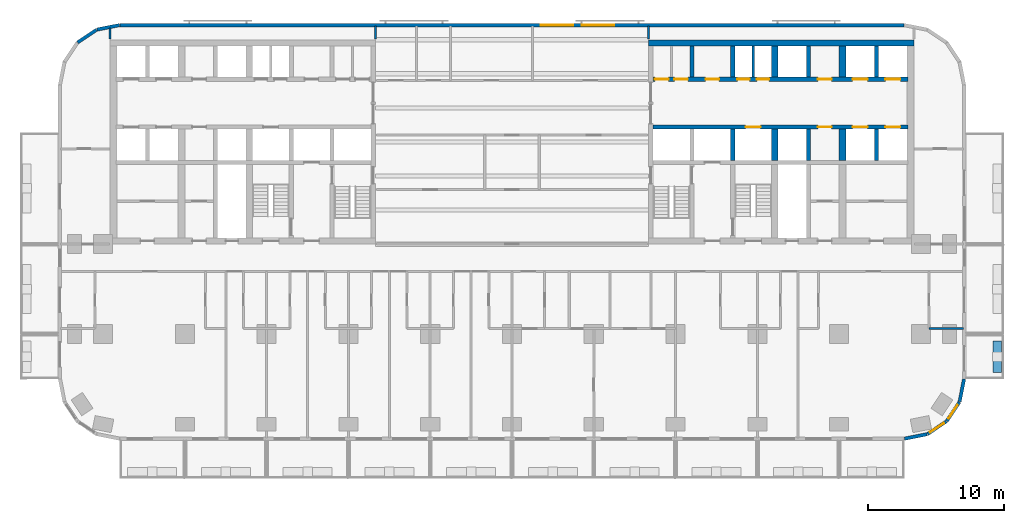
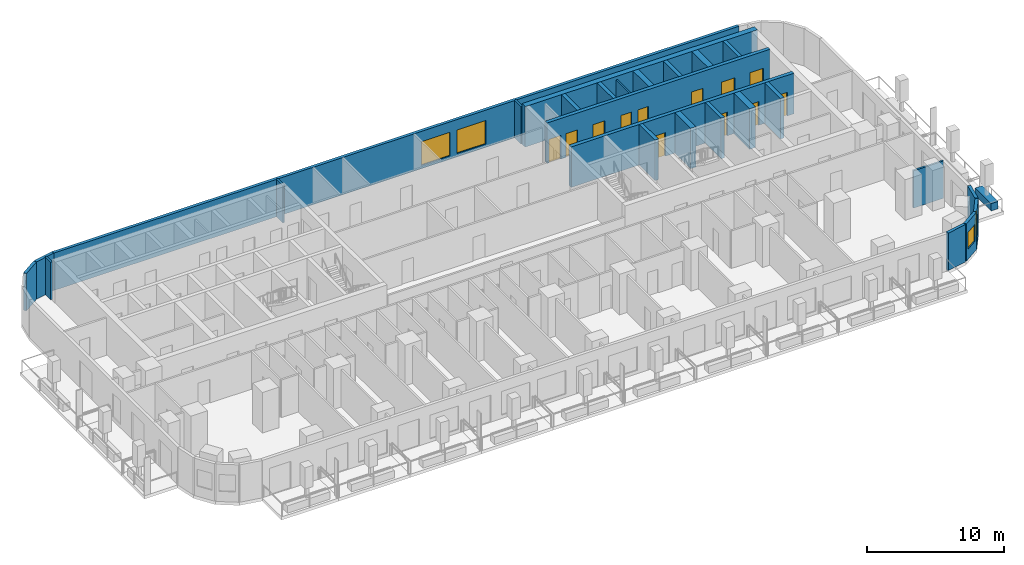
# One storey, part 8 of 14: 27 walls, 12 doors, 4 windows, 16 openings.
"""IFC4 building model written with IfcOpenShell, lengths in metres."""

from ifc_helpers import new_model, si_unit, direction, frame, frame_2d, origin, place, context, subcontext, project, spatial, rectangle, extrude, material, layer, layer_set, type_object, element, fill, save


model = new_model("IFC4")

# Units and contexts
model_context = context("Model", 3, precision=1e-05, world=origin(), true_north=direction((0.0, 1.0)))
body_context = subcontext(model_context, "Body", "Model", "MODEL_VIEW")
ifc_project = project(units=[si_unit("LENGTHUNIT", "METRE"), si_unit("AREAUNIT", "SQUARE_METRE"), si_unit("VOLUMEUNIT", "CUBIC_METRE"), si_unit("PLANEANGLEUNIT", "RADIAN"), si_unit("MASSUNIT", "GRAM", prefix="KILO")], contexts=[model_context])

# Site, building, storey
site_placement = place(None, origin())
site = spatial("IfcSite", under=ifc_project, at=site_placement, CompositionType="ELEMENT")
building_placement = place(site_placement, origin())
building = spatial("IfcBuilding", under=site, at=building_placement, Name="Torana Hotel and Residences", CompositionType="ELEMENT")
storey_placement = place(building_placement, frame((0.0, 0.0, 63.60009765625)))
storey = spatial("IfcBuildingStorey", under=building, at=storey_placement, Name="L15", CompositionType="ELEMENT", Elevation=63.60009765625)

# Wall, openings, doors
ifc_material_1 = material(Name="Concrete C80/95", Category="concrete")
ifc_layer_1 = layer(ifc_material_1, 0.300048828125)
ifc_layer_set_1 = layer_set([ifc_layer_1], Name="CORE WALL 300 C80/95")
wall_type_1 = type_object("IfcWallType", Name="CORE WALL 300 C80/95", PredefinedType="SHEAR", material=ifc_layer_set_1)
wall_1_placement = place(storey_placement, frame((10.35009765625, -2.89990234375, 0.0), z_axis=(0.0, 0.0, 1.0), x_axis=(1.0, 0.0, 0.0)))
wall_1 = element("IfcWall", 1, at=wall_1_placement, inside=storey, type_object=wall_type_1, Name="Core wall E row-N", PredefinedType="SHEAR", context=body_context, shape_type="SweptSolid", body=[
    extrude(rectangle(XDim=18.699951171875, YDim=0.300048828125, at=frame_2d((9.35009765625, 0.0))), origin(), (0.0, 0.0, 1.0), 3.599853515625),
])
opening_1_placement = place(wall_1_placement, frame((14.64990234375, 0.0, 0.0)))
opening_1 = element("IfcOpeningElement", 2, at=opening_1_placement, cuts=wall_1, Name="Opening LD", PredefinedType="OPENING", context=body_context, shape_type="SweptSolid", body=[
    extrude(rectangle(XDim=1.10009765625, YDim=2.10009765625, at=frame_2d((0.550048828125, 1.050048828125))), frame((0.0, 0.159912109375, 0.0), z_axis=(0.0, -1.0, 0.0), x_axis=(1.0, 0.0, 0.0)), (0.0, 0.0, 1.0), 0.320068359375),
])
opening_2_placement = place(wall_1_placement, frame((17.050048828125, 0.0, 0.0)))
opening_2 = element("IfcOpeningElement", 3, at=opening_2_placement, cuts=wall_1, Name="Opening LD", PredefinedType="OPENING", context=body_context, shape_type="SweptSolid", body=[
    extrude(rectangle(XDim=1.10009765625, YDim=2.10009765625, at=frame_2d((0.550048828125, 1.050048828125))), frame((0.0, 0.159912109375, 0.0), z_axis=(0.0, -1.0, 0.0), x_axis=(1.0, 0.0, 0.0)), (0.0, 0.0, 1.0), 0.320068359375),
])
opening_3_placement = place(wall_1_placement, frame((6.1875, 0.0, 0.0)))
opening_3 = element("IfcOpeningElement", 4, at=opening_3_placement, cuts=wall_1, Name="Opening L15-26", PredefinedType="OPENING", context=body_context, shape_type="SweptSolid", body=[
    extrude(rectangle(XDim=0.89990234375, YDim=2.10009765625, at=frame_2d((0.449951171875, 1.050048828125))), frame((0.0, 0.159912109375, 0.0), z_axis=(0.0, -1.0, 0.0), x_axis=(1.0, 0.0, 0.0)), (0.0, 0.0, 1.0), 0.320068359375),
])
opening_4_placement = place(wall_1_placement, frame((7.612548828125, 0.0, 0.0)))
opening_4 = element("IfcOpeningElement", 5, at=opening_4_placement, cuts=wall_1, Name="Opening L15-27", PredefinedType="OPENING", context=body_context, shape_type="SweptSolid", body=[
    extrude(rectangle(XDim=0.89990234375, YDim=2.10009765625, at=frame_2d((0.449951171875, 1.050048828125))), frame((0.0, 0.159912109375, 0.0), z_axis=(0.0, -1.0, 0.0), x_axis=(1.0, 0.0, 0.0)), (0.0, 0.0, 1.0), 0.320068359375),
])
opening_5_placement = place(wall_1_placement, frame((0.137451171875, 0.0, 0.0)))
opening_5 = element("IfcOpeningElement", 6, at=opening_5_placement, cuts=wall_1, Name="Opening L15-28", PredefinedType="OPENING", context=body_context, shape_type="SweptSolid", body=[
    extrude(rectangle(XDim=1.0, YDim=2.10009765625, at=frame_2d((0.5, 1.050048828125))), frame((0.0, 0.159912109375, 0.0), z_axis=(0.0, -1.0, 0.0), x_axis=(1.0, 0.0, 0.0)), (0.0, 0.0, 1.0), 0.320068359375),
])
opening_6_placement = place(wall_1_placement, frame((1.5625, 0.0, 0.0)))
opening_6 = element("IfcOpeningElement", 7, at=opening_6_placement, cuts=wall_1, Name="Opening L15-29", PredefinedType="OPENING", context=body_context, shape_type="SweptSolid", body=[
    extrude(rectangle(XDim=1.0, YDim=2.10009765625, at=frame_2d((0.5, 1.050048828125))), frame((0.0, 0.159912109375, 0.0), z_axis=(0.0, -1.0, 0.0), x_axis=(1.0, 0.0, 0.0)), (0.0, 0.0, 1.0), 0.320068359375),
])
opening_7_placement = place(wall_1_placement, frame((3.85009765625, 0.0, 0.0)))
opening_7 = element("IfcOpeningElement", 8, at=opening_7_placement, cuts=wall_1, Name="Opening L15-30", PredefinedType="OPENING", context=body_context, shape_type="SweptSolid", body=[
    extrude(rectangle(XDim=1.0, YDim=2.10009765625, at=frame_2d((0.5, 1.050048828125))), frame((0.0, 0.159912109375, 0.0), z_axis=(0.0, -1.0, 0.0), x_axis=(1.0, 0.0, 0.0)), (0.0, 0.0, 1.0), 0.320068359375),
])
opening_8_placement = place(wall_1_placement, frame((12.10009765625, 0.0, 0.0)))
opening_8 = element("IfcOpeningElement", 9, at=opening_8_placement, cuts=wall_1, Name="Opening L15-31", PredefinedType="OPENING", context=body_context, shape_type="SweptSolid", body=[
    extrude(rectangle(XDim=1.0, YDim=2.10009765625, at=frame_2d((0.5, 1.050048828125))), frame((0.0, 0.159912109375, 0.0), z_axis=(0.0, -1.0, 0.0), x_axis=(1.0, 0.0, 0.0)), (0.0, 0.0, 1.0), 0.320068359375),
])
ifc_material_2 = material(Name="Steel S235", Category="steel")
door_type_1 = type_object("IfcDoorType", Name="CORE ROOM FIRE DOOR D14 1000x2100", OperationType="SINGLE_SWING_LEFT", PredefinedType="DOOR", material=ifc_material_2)
door_1_placement = place(opening_5_placement, origin())
door_1 = element("IfcDoor", 10, at=door_1_placement, inside=storey, type_object=door_type_1, Name="N0A door L15", OperationType="SINGLE_SWING_RIGHT", OverallHeight=2.10009765625, OverallWidth=1.0, PredefinedType="DOOR", context=body_context, shape_type="SweptSolid", body=[
    extrude(rectangle(XDim=1.0, YDim=2.10009765625, at=frame_2d((0.5, 1.050048828125))), frame((0.0, 0.02490234375, 0.0), z_axis=(0.0, -1.0, 0.0), x_axis=(1.0, 0.0, 0.0)), (0.0, 0.0, 1.0), 0.050048828125),
])
fill(opening_5, door_1)
door_2_placement = place(opening_6_placement, origin())
door_2 = element("IfcDoor", 11, at=door_2_placement, inside=storey, type_object=door_type_1, Name="N0B door L15", OperationType="SINGLE_SWING_RIGHT", OverallHeight=2.10009765625, OverallWidth=1.0, PredefinedType="DOOR", context=body_context, shape_type="SweptSolid", body=[
    extrude(rectangle(XDim=1.0, YDim=2.10009765625, at=frame_2d((0.5, 1.050048828125))), frame((0.0, 0.02490234375, 0.0), z_axis=(0.0, -1.0, 0.0), x_axis=(1.0, 0.0, 0.0)), (0.0, 0.0, 1.0), 0.050048828125),
])
fill(opening_6, door_2)
door_3_placement = place(opening_7_placement, origin())
door_3 = element("IfcDoor", 12, at=door_3_placement, inside=storey, type_object=door_type_1, Name="N1 door L15", OperationType="SINGLE_SWING_RIGHT", OverallHeight=2.10009765625, OverallWidth=1.0, PredefinedType="DOOR", context=body_context, shape_type="SweptSolid", body=[
    extrude(rectangle(XDim=1.0, YDim=2.10009765625, at=frame_2d((0.5, 1.050048828125))), frame((0.0, 0.02490234375, 0.0), z_axis=(0.0, -1.0, 0.0), x_axis=(1.0, 0.0, 0.0)), (0.0, 0.0, 1.0), 0.050048828125),
])
fill(opening_7, door_3)
door_4_placement = place(opening_8_placement, origin())
door_4 = element("IfcDoor", 13, at=door_4_placement, inside=storey, type_object=door_type_1, Name="Free-M3 door L15", OperationType="SINGLE_SWING_RIGHT", OverallHeight=2.10009765625, OverallWidth=1.0, PredefinedType="DOOR", context=body_context, shape_type="SweptSolid", body=[
    extrude(rectangle(XDim=1.0, YDim=2.10009765625, at=frame_2d((0.5, 1.050048828125))), frame((0.0, 0.02490234375, 0.0), z_axis=(0.0, -1.0, 0.0), x_axis=(1.0, 0.0, 0.0)), (0.0, 0.0, 1.0), 0.050048828125),
])
fill(opening_8, door_4)
ifc_material_3 = material(Name="Stainless steel 316", Category="steel")
door_type_2 = type_object("IfcDoorType", Name="LIFT LANDING DOOR LD 1100x2100", OperationType="DOUBLE_DOOR_SLIDING", PredefinedType="USERDEFINED", material=ifc_material_3)
door_5_placement = place(opening_1_placement, origin())
door_5 = element("IfcDoor", 14, at=door_5_placement, inside=storey, type_object=door_type_2, Name="Lift landing door L5 L15", ObjectType="LIFT LANDING DOOR", OperationType="DOUBLE_DOOR_SLIDING", OverallHeight=2.10009765625, OverallWidth=1.10009765625, PredefinedType="USERDEFINED", context=body_context, shape_type="SweptSolid", body=[
    extrude(rectangle(XDim=1.10009765625, YDim=2.10009765625, at=frame_2d((0.550048828125, 1.050048828125))), frame((0.0, 0.02490234375, 0.0), z_axis=(0.0, -1.0, 0.0), x_axis=(1.0, 0.0, 0.0)), (0.0, 0.0, 1.0), 0.050048828125),
])
fill(opening_1, door_5)
door_6_placement = place(opening_2_placement, origin())
door_6 = element("IfcDoor", 15, at=door_6_placement, inside=storey, type_object=door_type_2, Name="Lift landing door L6 L15", ObjectType="LIFT LANDING DOOR", OperationType="DOUBLE_DOOR_SLIDING", OverallHeight=2.10009765625, OverallWidth=1.10009765625, PredefinedType="USERDEFINED", context=body_context, shape_type="SweptSolid", body=[
    extrude(rectangle(XDim=1.10009765625, YDim=2.10009765625, at=frame_2d((0.550048828125, 1.050048828125))), frame((0.0, 0.02490234375, 0.0), z_axis=(0.0, -1.0, 0.0), x_axis=(1.0, 0.0, 0.0)), (0.0, 0.0, 1.0), 0.050048828125),
])
fill(opening_2, door_6)
ifc_material_4 = material(Name="Steel S235", Category="steel")
door_type_3 = type_object("IfcDoorType", Name="RISER ACCESS DOOR D5 900x2100", OperationType="SINGLE_SWING_LEFT", PredefinedType="DOOR", material=ifc_material_4)
door_7_placement = place(opening_3_placement, origin())
door_7 = element("IfcDoor", 16, at=door_7_placement, inside=storey, type_object=door_type_3, Name="N2A door L15", OperationType="SINGLE_SWING_RIGHT", OverallHeight=2.10009765625, OverallWidth=0.89990234375, PredefinedType="DOOR", context=body_context, shape_type="SweptSolid", body=[
    extrude(rectangle(XDim=0.89990234375, YDim=2.10009765625, at=frame_2d((0.449951171875, 1.050048828125))), frame((0.0, 0.02490234375, 0.0), z_axis=(0.0, -1.0, 0.0), x_axis=(1.0, 0.0, 0.0)), (0.0, 0.0, 1.0), 0.050048828125),
])
fill(opening_3, door_7)
door_8_placement = place(opening_4_placement, origin())
door_8 = element("IfcDoor", 17, at=door_8_placement, inside=storey, type_object=door_type_3, Name="N2B door L15", OperationType="SINGLE_SWING_RIGHT", OverallHeight=2.10009765625, OverallWidth=0.89990234375, PredefinedType="DOOR", context=body_context, shape_type="SweptSolid", body=[
    extrude(rectangle(XDim=0.89990234375, YDim=2.10009765625, at=frame_2d((0.449951171875, 1.050048828125))), frame((0.0, 0.02490234375, 0.0), z_axis=(0.0, -1.0, 0.0), x_axis=(1.0, 0.0, 0.0)), (0.0, 0.0, 1.0), 0.050048828125),
])
fill(opening_4, door_8)

wall_2_placement = place(storey_placement, frame((10.35009765625, -6.39990234375, 0.0), z_axis=(0.0, 0.0, 1.0), x_axis=(1.0, 0.0, 0.0)))
wall_2 = element("IfcWall", 18, at=wall_2_placement, inside=storey, type_object=wall_type_1, Name="Core wall E row-S", PredefinedType="SHEAR", context=body_context, shape_type="SweptSolid", body=[
    extrude(rectangle(XDim=18.699951171875, YDim=0.300048828125, at=frame_2d((9.35009765625, 0.0))), origin(), (0.0, 0.0, 1.0), 3.599853515625),
])
opening_9_placement = place(wall_2_placement, frame((14.64990234375, 0.0, 0.0)))
opening_9 = element("IfcOpeningElement", 19, at=opening_9_placement, cuts=wall_2, Name="Opening LD", PredefinedType="OPENING", context=body_context, shape_type="SweptSolid", body=[
    extrude(rectangle(XDim=1.10009765625, YDim=2.10009765625, at=frame_2d((0.550048828125, 1.050048828125))), frame((0.0, 0.159912109375, 0.0), z_axis=(0.0, -1.0, 0.0), x_axis=(1.0, 0.0, 0.0)), (0.0, 0.0, 1.0), 0.320068359375),
])
opening_10_placement = place(wall_2_placement, frame((17.050048828125, 0.0, 0.0)))
opening_10 = element("IfcOpeningElement", 20, at=opening_10_placement, cuts=wall_2, Name="Opening LD", PredefinedType="OPENING", context=body_context, shape_type="SweptSolid", body=[
    extrude(rectangle(XDim=1.10009765625, YDim=2.10009765625, at=frame_2d((0.550048828125, 1.050048828125))), frame((0.0, 0.159912109375, 0.0), z_axis=(0.0, -1.0, 0.0), x_axis=(1.0, 0.0, 0.0)), (0.0, 0.0, 1.0), 0.320068359375),
])
opening_11_placement = place(wall_2_placement, frame((6.800048828125, 0.0, 0.0)))
opening_11 = element("IfcOpeningElement", 21, at=opening_11_placement, cuts=wall_2, Name="Opening LD", PredefinedType="OPENING", context=body_context, shape_type="SweptSolid", body=[
    extrude(rectangle(XDim=1.10009765625, YDim=2.10009765625, at=frame_2d((0.550048828125, 1.050048828125))), frame((0.0, 0.159912109375, 0.0), z_axis=(0.0, -1.0, 0.0), x_axis=(1.0, 0.0, 0.0)), (0.0, 0.0, 1.0), 0.320068359375),
])
opening_12_placement = place(wall_2_placement, frame((12.10009765625, 0.0, 0.0)))
opening_12 = element("IfcOpeningElement", 22, at=opening_12_placement, cuts=wall_2, Name="Opening L15-32", PredefinedType="OPENING", context=body_context, shape_type="SweptSolid", body=[
    extrude(rectangle(XDim=1.0, YDim=2.10009765625, at=frame_2d((0.5, 1.050048828125))), frame((0.0, 0.159912109375, 0.0), z_axis=(0.0, -1.0, 0.0), x_axis=(1.0, 0.0, 0.0)), (0.0, 0.0, 1.0), 0.320068359375),
])
door_9_placement = place(opening_12_placement, frame((0.5, 0.0, 0.0), z_axis=(0.0, 0.0, 1.0), x_axis=(-1.0, 0.0, 0.0)))
door_9 = element("IfcDoor", 23, at=door_9_placement, inside=storey, type_object=door_type_1, Name="Free-M4 door L15", OperationType="SINGLE_SWING_LEFT", OverallHeight=2.10009765625, OverallWidth=1.0, PredefinedType="DOOR", context=body_context, shape_type="SweptSolid", body=[
    extrude(rectangle(XDim=1.0, YDim=2.10009765625, at=frame_2d((0.0, 1.050048828125))), frame((0.0, -0.02490234375, 0.0), z_axis=(0.0, 1.0, 0.0), x_axis=(-1.0, 0.0, 0.0)), (0.0, 0.0, 1.0), 0.050048828125),
])
fill(opening_12, door_9)
door_10_placement = place(opening_9_placement, origin())
door_10 = element("IfcDoor", 24, at=door_10_placement, inside=storey, type_object=door_type_2, Name="Lift landing door L7 L15", ObjectType="LIFT LANDING DOOR", OperationType="DOUBLE_DOOR_SLIDING", OverallHeight=2.10009765625, OverallWidth=1.10009765625, PredefinedType="USERDEFINED", context=body_context, shape_type="SweptSolid", body=[
    extrude(rectangle(XDim=1.10009765625, YDim=2.10009765625, at=frame_2d((0.550048828125, 1.050048828125))), frame((0.0, 0.02490234375, 0.0), z_axis=(0.0, -1.0, 0.0), x_axis=(1.0, 0.0, 0.0)), (0.0, 0.0, 1.0), 0.050048828125),
])
fill(opening_9, door_10)
door_11_placement = place(opening_10_placement, origin())
door_11 = element("IfcDoor", 25, at=door_11_placement, inside=storey, type_object=door_type_2, Name="Lift landing door L8 L15", ObjectType="LIFT LANDING DOOR", OperationType="DOUBLE_DOOR_SLIDING", OverallHeight=2.10009765625, OverallWidth=1.10009765625, PredefinedType="USERDEFINED", context=body_context, shape_type="SweptSolid", body=[
    extrude(rectangle(XDim=1.10009765625, YDim=2.10009765625, at=frame_2d((0.550048828125, 1.050048828125))), frame((0.0, 0.02490234375, 0.0), z_axis=(0.0, -1.0, 0.0), x_axis=(1.0, 0.0, 0.0)), (0.0, 0.0, 1.0), 0.050048828125),
])
fill(opening_10, door_11)
door_12_placement = place(opening_11_placement, origin())
door_12 = element("IfcDoor", 26, at=door_12_placement, inside=storey, type_object=door_type_2, Name="Lift landing door SV2 L15", ObjectType="LIFT LANDING DOOR", OperationType="DOUBLE_DOOR_SLIDING", OverallHeight=2.10009765625, OverallWidth=1.10009765625, PredefinedType="USERDEFINED", context=body_context, shape_type="SweptSolid", body=[
    extrude(rectangle(XDim=1.10009765625, YDim=2.10009765625, at=frame_2d((0.550048828125, 1.050048828125))), frame((0.0, 0.02490234375, 0.0), z_axis=(0.0, -1.0, 0.0), x_axis=(1.0, 0.0, 0.0)), (0.0, 0.0, 1.0), 0.050048828125),
])
fill(opening_11, door_12)

# Walls
for number, where, z_axis, x_axis, name in (
    (27, (13.199951171875, -2.75, 0.0), (0.0, 0.0, 1.0), (0.0, 1.0, 0.0), "Core wall E x3.05-N"),
    (28, (16.199951171875, -2.75, 0.0), (0.0, 0.0, 1.0), (0.0, 1.0, 0.0), "Core wall E x6.05-N"),
    (29, (16.199951171875, -8.85009765625, 0.0), (0.0, 0.0, 1.0), (0.0, 1.0, 0.0), "Core wall E x6.05-S"),
    (30, (21.75, -2.75, 0.0), (0.0, 0.0, 1.0), (0.0, 1.0, 0.0), "Core wall E mm-N"),
    (31, (21.75, -8.85009765625, 0.0), (0.0, 0.0, 1.0), (0.0, 1.0, 0.0), "Core wall E mm-S"),
    (32, (26.75, -2.75, 0.0), (0.0, 0.0, 1.0), (0.0, 1.0, 0.0), "Core wall E ll-N"),
    (33, (26.75, -8.85009765625, 0.0), (0.0, 0.0, 1.0), (0.0, 1.0, 0.0), "Core wall E ll-S"),
):
    element("IfcWall", number, at=place(storey_placement, frame(where, z_axis=z_axis, x_axis=x_axis)), inside=storey, type_object=wall_type_1, Name=name, PredefinedType="SHEAR", context=body_context, shape_type="SweptSolid", body=[
        extrude(rectangle(XDim=2.300048828125, YDim=0.300048828125, at=frame_2d((1.14990234375, 0.0))), origin(), (0.0, 0.0, 1.0), 3.599853515625),
    ])
ifc_material_5 = material(Name="Concrete C80/95", Category="concrete")
ifc_layer_2 = layer(ifc_material_5, 0.449951171875)
ifc_layer_set_2 = layer_set([ifc_layer_2], Name="CORE WALL 450 C80/95")
wall_type_2 = type_object("IfcWallType", Name="CORE WALL 450 C80/95", PredefinedType="SHEAR", material=ifc_layer_set_2)
wall_3_placement = place(storey_placement, frame((10.0, -0.22509765625, 0.0), z_axis=(0.0, 0.0, 1.0), x_axis=(1.0, 0.0, 0.0)))
element("IfcWall", 34, at=wall_3_placement, inside=storey, type_object=wall_type_2, Name="Core wall E rear", PredefinedType="SHEAR", context=body_context, shape_type="SweptSolid", body=[
    extrude(rectangle(XDim=19.5, YDim=0.449951171875, at=frame_2d((9.75, 0.0))), origin(), (0.0, 0.0, 1.0), 3.599853515625),
])
for number, where, z_axis, x_axis, name in (
    (35, (19.27490234375, -2.75, 0.0), (0.0, 0.0, 1.0), (0.0, 1.0, 0.0), "Core wall E hm-N"),
    (36, (19.27490234375, -8.85009765625, 0.0), (0.0, 0.0, 1.0), (0.0, 1.0, 0.0), "Core wall E hm-S"),
):
    element("IfcWall", number, at=place(storey_placement, frame(where, z_axis=z_axis, x_axis=x_axis)), inside=storey, type_object=wall_type_2, Name=name, PredefinedType="SHEAR", context=body_context, shape_type="SweptSolid", body=[
        extrude(rectangle(XDim=2.300048828125, YDim=0.449951171875, at=frame_2d((1.14990234375, 0.0))), origin(), (0.0, 0.0, 1.0), 3.599853515625),
    ])
ifc_material_6 = material(Name="Concrete C80/95", Category="concrete")
ifc_layer_3 = layer(ifc_material_6, 0.5)
ifc_layer_set_3 = layer_set([ifc_layer_3], Name="CORE WALL 500 C80/95")
wall_type_3 = type_object("IfcWallType", Name="CORE WALL 500 C80/95", PredefinedType="SHEAR", material=ifc_layer_set_3)
for number, where, z_axis, x_axis, name in (
    (37, (24.25, -2.75, 0.0), (0.0, 0.0, 1.0), (0.0, 1.0, 0.0), "Core wall E ml-N"),
    (38, (24.25, -8.85009765625, 0.0), (0.0, 0.0, 1.0), (0.0, 1.0, 0.0), "Core wall E ml-S"),
):
    element("IfcWall", number, at=place(storey_placement, frame(where, z_axis=z_axis, x_axis=x_axis)), inside=storey, type_object=wall_type_3, Name=name, PredefinedType="SHEAR", context=body_context, shape_type="SweptSolid", body=[
        extrude(rectangle(XDim=2.300048828125, YDim=0.5, at=frame_2d((1.14990234375, 0.0))), origin(), (0.0, 0.0, 1.0), 3.599853515625),
    ])
ifc_material_7 = material(Name="Black aluminium composite panel", Category="aluminium")
ifc_layer_4 = layer(ifc_material_7, 0.00390625, Name="Cladding", Category="cladding")
ifc_material_8 = material(Name="Ventilated air cavity")
ifc_layer_5 = layer(ifc_material_8, 0.0400390625, Name="Ventilated cavity", Category="cavity")
ifc_material_9 = material(Name="Mineral wool insulation")
ifc_layer_6 = layer(ifc_material_9, 0.090087890625, Name="Insulation", Category="insulation")
ifc_material_10 = material(Name="Steel S280GD", Category="steel")
ifc_layer_7 = layer(ifc_material_10, 0.092041015625, Name="Steel stud frame", Category="structure")
ifc_material_11 = material(Name="Fire rated plasterboard")
ifc_layer_8 = layer(ifc_material_11, 0.011962890625, Name="Inner board", Category="finish")
ifc_layer_9 = layer(ifc_material_11, 0.011962890625, Name="Second board", Category="finish")
ifc_layer_set_4 = layer_set([ifc_layer_4, ifc_layer_5, ifc_layer_6, ifc_layer_7, ifc_layer_8, ifc_layer_9], Name="EW1 EXTERNAL WALL BLACK METAL CLAD 250")
wall_type_4 = type_object("IfcWallType", Name="EW1 EXTERNAL WALL BLACK METAL CLAD 250", PredefinedType="SOLIDWALL", material=ifc_layer_set_4)
wall_4_placement = place(storey_placement, frame((-28.7998046875, 1.072509765625, 0.0), z_axis=(0.0, 0.0, 1.0), x_axis=(-0.980803419081, -0.194999110559, 0.0)))
element("IfcWall", 39, at=wall_4_placement, inside=storey, type_object=wall_type_4, Name="External wall L15 e0.5", PredefinedType="SOLIDWALL", context=body_context, shape_type="SweptSolid", body=[
    extrude(rectangle(XDim=1.681396484375, YDim=0.25, at=frame_2d((0.8408203125, 0.0))), origin(), (0.0, 0.0, 1.0), 3.31982421875),
])
wall_5_placement = place(storey_placement, frame((-30.493896484375, 0.725830078125, 0.0), z_axis=(0.0, 0.0, 1.0), x_axis=(-0.831482937015, -0.55555029066, 0.0)))
element("IfcWall", 40, at=wall_5_placement, inside=storey, type_object=wall_type_4, Name="External wall L15 e0.6", PredefinedType="SOLIDWALL", context=body_context, shape_type="SweptSolid", body=[
    extrude(rectangle(XDim=1.65625, YDim=0.25, at=frame_2d((0.828125, 0.0))), origin(), (0.0, 0.0, 1.0), 3.31982421875),
])
wall_6_placement = place(storey_placement, frame((28.7998046875, -29.272705078125, 0.0), z_axis=(0.0, 0.0, 1.0), x_axis=(0.980775640221, 0.19513878023, 0.0)))
element("IfcWall", 41, at=wall_6_placement, inside=storey, type_object=wall_type_4, Name="External wall L15 e0.15", PredefinedType="SOLIDWALL", context=body_context, shape_type="SweptSolid", body=[
    extrude(rectangle(XDim=1.681396484375, YDim=0.25, at=frame_2d((0.8408203125, 0.0))), origin(), (0.0, 0.0, 1.0), 3.31982421875),
])

# Wall, opening, window
wall_7_placement = place(storey_placement, frame((30.493896484375, -28.92578125, 0.0), z_axis=(0.0, 0.0, 1.0), x_axis=(0.831482937015, 0.55555029066, 0.0)))
wall_7 = element("IfcWall", 42, at=wall_7_placement, inside=storey, type_object=wall_type_4, Name="External wall L15 e0.16", PredefinedType="SOLIDWALL", context=body_context, shape_type="SweptSolid", body=[
    extrude(rectangle(XDim=1.65625, YDim=0.25, at=frame_2d((0.828125, 0.0))), origin(), (0.0, 0.0, 1.0), 3.31982421875),
])
opening_13_placement = place(wall_7_placement, frame((0.228271484375, 0.0, 0.89990234375)))
opening_13 = element("IfcOpeningElement", 43, at=opening_13_placement, cuts=wall_7, Name="Opening W5", PredefinedType="OPENING", context=body_context, shape_type="SweptSolid", body=[
    extrude(rectangle(XDim=1.199951171875, YDim=1.5, at=frame_2d((0.60009765625, 0.75))), frame((0.0, 0.135009765625, 0.0), z_axis=(0.0, -1.0, 0.0), x_axis=(1.0, 0.0, 0.0)), (0.0, 0.0, 1.0), 0.27001953125),
])
ifc_material_12 = material(Name="Dark glass in black aluminium frame", Category="aluminium")
window_type_1 = type_object("IfcWindowType", Name="W5 CORNER FACET WINDOW 1200x1500", PartitioningType="SINGLE_PANEL", PredefinedType="WINDOW", material=ifc_material_12)
window_1_placement = place(opening_13_placement, origin())
window_1 = element("IfcWindow", 44, at=window_1_placement, inside=storey, type_object=window_type_1, Name="Window L15 e0.16", OverallHeight=1.5, OverallWidth=1.199951171875, PartitioningType="SINGLE_PANEL", PredefinedType="WINDOW", context=body_context, shape_type="SweptSolid", body=[
    extrude(rectangle(XDim=1.199951171875, YDim=1.5, at=frame_2d((0.60009765625, 0.75))), frame((0.0, 0.030029296875, 0.0), z_axis=(0.0, -1.0, 0.0), x_axis=(1.0, 0.0, 0.0)), (0.0, 0.0, 1.0), 0.06005859375),
])
fill(opening_13, window_1)

wall_8_placement = place(storey_placement, frame((31.90576171875, -27.97119140625, 0.0), z_axis=(0.0, 0.0, 1.0), x_axis=(0.55555029066, 0.831482937015, 0.0)))
wall_8 = element("IfcWall", 45, at=wall_8_placement, inside=storey, type_object=wall_type_4, Name="External wall L15 e0.17", PredefinedType="SOLIDWALL", context=body_context, shape_type="SweptSolid", body=[
    extrude(rectangle(XDim=1.65625, YDim=0.25, at=frame_2d((0.828125, 0.0))), origin(), (0.0, 0.0, 1.0), 3.31982421875),
])
opening_14_placement = place(wall_8_placement, frame((0.228271484375, 0.0, 0.89990234375)))
opening_14 = element("IfcOpeningElement", 46, at=opening_14_placement, cuts=wall_8, Name="Opening W5", PredefinedType="OPENING", context=body_context, shape_type="SweptSolid", body=[
    extrude(rectangle(XDim=1.199951171875, YDim=1.5, at=frame_2d((0.60009765625, 0.75))), frame((0.0, 0.135009765625, 0.0), z_axis=(0.0, -1.0, 0.0), x_axis=(1.0, 0.0, 0.0)), (0.0, 0.0, 1.0), 0.27001953125),
])
window_2_placement = place(opening_14_placement, origin())
window_2 = element("IfcWindow", 47, at=window_2_placement, inside=storey, type_object=window_type_1, Name="Window L15 e0.17", OverallHeight=1.5, OverallWidth=1.199951171875, PartitioningType="SINGLE_PANEL", PredefinedType="WINDOW", context=body_context, shape_type="SweptSolid", body=[
    extrude(rectangle(XDim=1.199951171875, YDim=1.5, at=frame_2d((0.60009765625, 0.75))), frame((0.0, 0.030029296875, 0.0), z_axis=(0.0, -1.0, 0.0), x_axis=(1.0, 0.0, 0.0)), (0.0, 0.0, 1.0), 0.06005859375),
])
fill(opening_14, window_2)

# Wall
wall_9_placement = place(storey_placement, frame((32.844482421875, -26.548828125, 0.0), z_axis=(0.0, 0.0, 1.0), x_axis=(0.195166572128, 0.980770110232, 0.0)))
element("IfcWall", 48, at=wall_9_placement, inside=storey, type_object=wall_type_4, Name="External wall L15 e0.18", PredefinedType="SOLIDWALL", context=body_context, shape_type="SweptSolid", body=[
    extrude(rectangle(XDim=1.68115234375, YDim=0.25, at=frame_2d((0.840576171875, 0.0))), origin(), (0.0, 0.0, 1.0), 3.31982421875),
])

# Wall, openings, windows
ifc_material_13 = material(Name="Concrete C40/50 precast", Category="concrete")
ifc_layer_10 = layer(ifc_material_13, 0.10009765625, Name="Perforated block", Category="cladding")
ifc_material_14 = material(Name="Air cavity")
ifc_layer_11 = layer(ifc_material_14, 0.030029296875, Name="Cavity", Category="cavity")
ifc_material_15 = material(Name="Concrete C40/50", Category="concrete")
ifc_layer_12 = layer(ifc_material_15, 0.10009765625, Name="Wall", Category="structure")
ifc_material_16 = material(Name="Plaster and paint")
ifc_layer_13 = layer(ifc_material_16, 0.02001953125, Name="Inner finish", Category="finish")
ifc_layer_set_5 = layer_set([ifc_layer_10, ifc_layer_11, ifc_layer_12, ifc_layer_13], Name="EW2 PERFORATED BLOCK SCREEN WALL 250")
wall_type_5 = type_object("IfcWallType", Name="EW2 PERFORATED BLOCK SCREEN WALL 250", PredefinedType="SOLIDWALL", material=ifc_layer_set_5)
wall_10_placement = place(storey_placement, frame((28.775390625, 1.074951171875, 0.0), z_axis=(0.0, 0.0, 1.0), x_axis=(-1.0, 0.0, 0.0)))
wall_10 = element("IfcWall", 49, at=wall_10_placement, inside=storey, type_object=wall_type_5, Name="External wall L15 e0.4", PredefinedType="SOLIDWALL", context=body_context, shape_type="SweptSolid", body=[
    extrude(rectangle(XDim=57.55078125, YDim=0.25, at=frame_2d((28.775390625, 0.0))), origin(), (0.0, 0.0, 1.0), 3.31982421875),
])
opening_15_placement = place(wall_10_placement, frame((21.275390625, 0.0, 0.300048828125)))
opening_15 = element("IfcOpeningElement", 50, at=opening_15_placement, cuts=wall_10, Name="Opening W1", PredefinedType="OPENING", context=body_context, shape_type="SweptSolid", body=[
    extrude(rectangle(XDim=2.39990234375, YDim=2.10009765625, at=frame_2d((1.199951171875, 1.050048828125))), frame((0.0, 0.135009765625, 0.0), z_axis=(0.0, -1.0, 0.0), x_axis=(1.0, 0.0, 0.0)), (0.0, 0.0, 1.0), 0.27001953125),
])
opening_16_placement = place(wall_10_placement, frame((24.275390625, 0.0, 0.300048828125)))
opening_16 = element("IfcOpeningElement", 51, at=opening_16_placement, cuts=wall_10, Name="Opening W1", PredefinedType="OPENING", context=body_context, shape_type="SweptSolid", body=[
    extrude(rectangle(XDim=2.39990234375, YDim=2.10009765625, at=frame_2d((1.199951171875, 1.050048828125))), frame((0.0, 0.135009765625, 0.0), z_axis=(0.0, -1.0, 0.0), x_axis=(1.0, 0.0, 0.0)), (0.0, 0.0, 1.0), 0.27001953125),
])
ifc_material_17 = material(Name="Dark glass in black aluminium frame", Category="aluminium")
window_type_2 = type_object("IfcWindowType", Name="W1 HOTEL ROOM WINDOW 2400x2100", PartitioningType="SINGLE_PANEL", PredefinedType="WINDOW", material=ifc_material_17)
window_3_placement = place(opening_15_placement, origin())
window_3 = element("IfcWindow", 52, at=window_3_placement, inside=storey, type_object=window_type_2, Name="Window L15", OverallHeight=2.10009765625, OverallWidth=2.39990234375, PartitioningType="SINGLE_PANEL", PredefinedType="WINDOW", context=body_context, shape_type="SweptSolid", body=[
    extrude(rectangle(XDim=2.39990234375, YDim=2.10009765625, at=frame_2d((1.199951171875, 1.050048828125))), frame((0.0, 0.030029296875, 0.0), z_axis=(0.0, -1.0, 0.0), x_axis=(1.0, 0.0, 0.0)), (0.0, 0.0, 1.0), 0.06005859375),
])
fill(opening_15, window_3)
window_4_placement = place(opening_16_placement, origin())
window_4 = element("IfcWindow", 53, at=window_4_placement, inside=storey, type_object=window_type_2, Name="Window L15", OverallHeight=2.10009765625, OverallWidth=2.39990234375, PartitioningType="SINGLE_PANEL", PredefinedType="WINDOW", context=body_context, shape_type="SweptSolid", body=[
    extrude(rectangle(XDim=2.39990234375, YDim=2.10009765625, at=frame_2d((1.199951171875, 1.050048828125))), frame((0.0, 0.030029296875, 0.0), z_axis=(0.0, -1.0, 0.0), x_axis=(1.0, 0.0, 0.0)), (0.0, 0.0, 1.0), 0.06005859375),
])
fill(opening_16, window_4)

# Walls
ifc_material_18 = material(Name="Gypsum plaster")
ifc_layer_14 = layer(ifc_material_18, 0.014892578125, Name="Plaster", Category="finish")
ifc_material_19 = material(Name="Concrete blockwork", Category="masonry")
ifc_layer_15 = layer(ifc_material_19, 0.1201171875, Name="Blockwork", Category="structure")
ifc_layer_16 = layer(ifc_material_18, 0.014892578125, Name="Plaster", Category="finish")
ifc_layer_set_6 = layer_set([ifc_layer_14, ifc_layer_15, ifc_layer_16], Name="FIRE PARTITION 150 BLOCKWORK")
wall_type_6 = type_object("IfcWallType", Name="FIRE PARTITION 150 BLOCKWORK", PredefinedType="PARTITIONING", material=ifc_layer_set_6)
wall_11_placement = place(storey_placement, frame((17.699951171875, -2.75, 0.0), z_axis=(0.0, 0.0, 1.0), x_axis=(0.0, 1.0, 0.0)))
element("IfcWall", 54, at=wall_11_placement, inside=storey, type_object=wall_type_6, Name="Core partition L15", PredefinedType="PARTITIONING", context=body_context, shape_type="SweptSolid", body=[
    extrude(rectangle(XDim=2.300048828125, YDim=0.14990234375, at=frame_2d((1.14990234375, 0.0))), origin(), (0.0, 0.0, 1.0), 3.2998046875),
])
ifc_material_20 = material(Name="Gypsum plasterboard")
ifc_layer_17 = layer(ifc_material_20, 0.012451171875, Name="Plasterboard", Category="finish")
ifc_layer_18 = layer(ifc_material_20, 0.012451171875, Name="Plasterboard", Category="finish")
ifc_layer_19 = layer(ifc_material_10, 0.10009765625, Name="Steel studs with mineral wool", Category="insulation")
ifc_layer_20 = layer(ifc_material_20, 0.012451171875, Name="Plasterboard", Category="finish")
ifc_layer_21 = layer(ifc_material_20, 0.012451171875, Name="Plasterboard", Category="finish")
ifc_layer_set_7 = layer_set([ifc_layer_17, ifc_layer_18, ifc_layer_19, ifc_layer_20, ifc_layer_21], Name="PARTITION 150 PLASTERBOARD")
wall_type_7 = type_object("IfcWallType", Name="PARTITION 150 PLASTERBOARD", PredefinedType="PARTITIONING", material=ifc_layer_set_7)
wall_12_placement = place(storey_placement, frame((10.0, 0.050048828125, 0.0), z_axis=(0.0, 0.0, 1.0), x_axis=(0.0, 1.0, 0.0)))
element("IfcWall", 55, at=wall_12_placement, inside=storey, type_object=wall_type_7, Name="Partition L15", PredefinedType="PARTITIONING", context=body_context, shape_type="SweptSolid", body=[
    extrude(rectangle(XDim=0.969970703125, YDim=0.14990234375, at=frame_2d((0.48486328125, 0.0))), origin(), (0.0, 0.0, 1.0), 3.31982421875),
])
wall_13_placement = place(storey_placement, frame((-29.5, 0.050048828125, 0.0), z_axis=(0.0, 0.0, 1.0), x_axis=(0.0, 1.0, 0.0)))
element("IfcWall", 56, at=wall_13_placement, inside=storey, type_object=wall_type_7, Name="Partition L15", PredefinedType="PARTITIONING", context=body_context, shape_type="SweptSolid", body=[
    extrude(rectangle(XDim=0.8271484375, YDim=0.14990234375, at=frame_2d((0.41357421875, 0.0))), origin(), (0.0, 0.0, 1.0), 3.31982421875),
])
wall_14_placement = place(storey_placement, frame((30.60009765625, -21.199951171875, 0.0), z_axis=(0.0, 0.0, 1.0), x_axis=(1.0, 0.0, 0.0)))
element("IfcWall", 57, at=wall_14_placement, inside=storey, type_object=wall_type_7, Name="Partition L15", PredefinedType="PARTITIONING", context=body_context, shape_type="SweptSolid", body=[
    extrude(rectangle(XDim=2.52001953125, YDim=0.14990234375, at=frame_2d((1.260009765625, 0.0))), origin(), (0.0, 0.0, 1.0), 3.31982421875),
])
ifc_layer_22 = layer(ifc_material_13, 0.10009765625, Name="Planter shell", Category="structure")
ifc_material_21 = material(Name="Root resistant membrane")
ifc_layer_23 = layer(ifc_material_21, 0.00390625, Name="Waterproofing membrane", Category="membrane")
ifc_material_22 = material(Name="Drainage board with filter fleece")
ifc_layer_24 = layer(ifc_material_22, 0.02001953125, Name="Drainage board", Category="drainage")
ifc_material_23 = material(Name="Growing medium")
ifc_layer_25 = layer(ifc_material_23, 0.47607421875, Name="Planting substrate", Category="soil")
ifc_layer_set_8 = layer_set([ifc_layer_22, ifc_layer_23, ifc_layer_24, ifc_layer_25], Name="PL1 BALCONY PLANTER 600")
wall_type_8 = type_object("IfcWallType", Name="PL1 BALCONY PLANTER 600", PredefinedType="USERDEFINED", material=ifc_layer_set_8)
wall_15_placement = place(storey_placement, frame((35.60009765625, -22.10009765625, 0.0), z_axis=(0.0, 0.0, 1.0), x_axis=(0.0, -1.0, 0.0)))
element("IfcWall", 58, at=wall_15_placement, inside=storey, type_object=wall_type_8, Name="Planter 14", ObjectType="PLANTER", PredefinedType="USERDEFINED", context=body_context, shape_type="SweptSolid", body=[
    extrude(rectangle(XDim=2.2998046875, YDim=0.60009765625, at=frame_2d((1.14990234375, 0.0))), origin(), (0.0, 0.0, 1.0), 0.64990234375),
])
ifc_material_24 = material(Name="Ceramic tile on adhesive")
ifc_layer_26 = layer(ifc_material_24, 0.010009765625, Name="Wall tile", Category="finish")
ifc_material_25 = material(Name="Cement render")
ifc_layer_27 = layer(ifc_material_25, 0.010009765625, Name="Render", Category="finish")
ifc_layer_28 = layer(ifc_material_19, 0.110107421875, Name="Blockwork", Category="structure")
ifc_layer_29 = layer(ifc_material_25, 0.010009765625, Name="Render", Category="finish")
ifc_layer_30 = layer(ifc_material_24, 0.010009765625, Name="Wall tile", Category="finish")
ifc_layer_set_9 = layer_set([ifc_layer_26, ifc_layer_27, ifc_layer_28, ifc_layer_29, ifc_layer_30], Name="WC PARTITION 150")
wall_type_9 = type_object("IfcWallType", Name="WC PARTITION 150", PredefinedType="PLUMBINGWALL", material=ifc_layer_set_9)
wall_16_placement = place(storey_placement, frame((-10.0, 0.050048828125, 0.0), z_axis=(0.0, 0.0, 1.0), x_axis=(0.0, 1.0, 0.0)))
element("IfcWall", 59, at=wall_16_placement, inside=storey, type_object=wall_type_9, Name="Partition L15", PredefinedType="PLUMBINGWALL", context=body_context, shape_type="SweptSolid", body=[
    extrude(rectangle(XDim=0.969970703125, YDim=0.14990234375, at=frame_2d((0.48486328125, 0.0))), origin(), (0.0, 0.0, 1.0), 3.31982421875),
])

save(model, "model.ifc")
